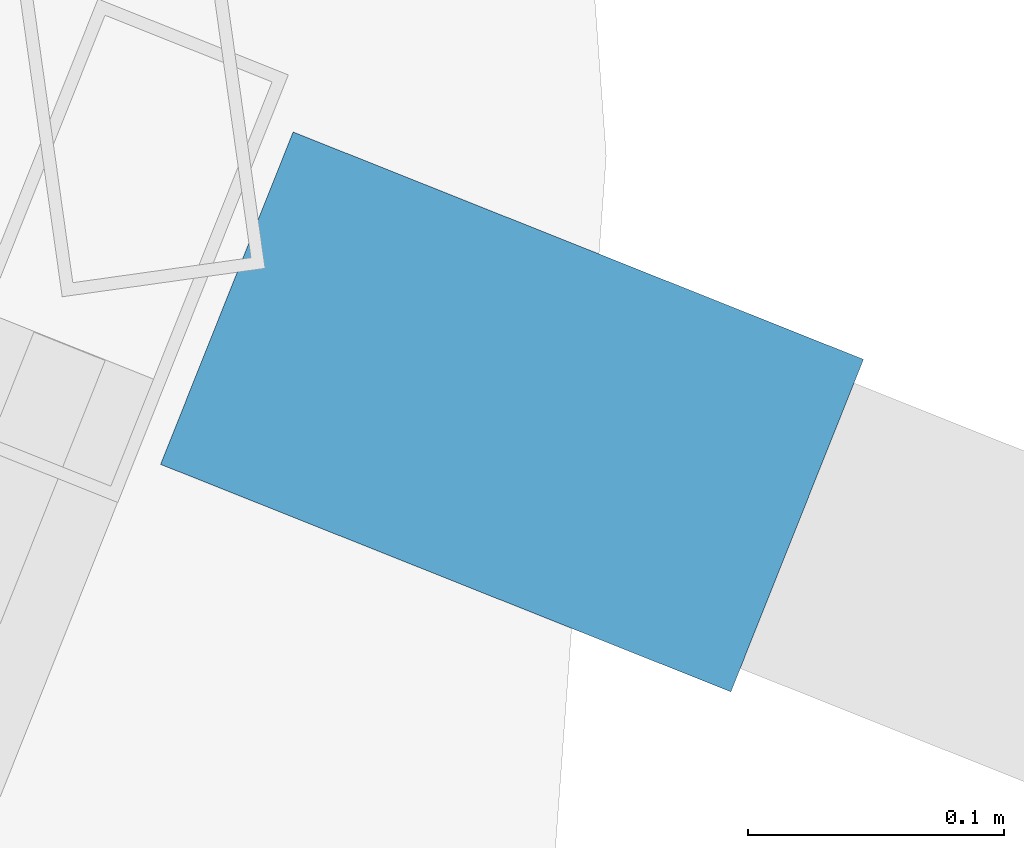
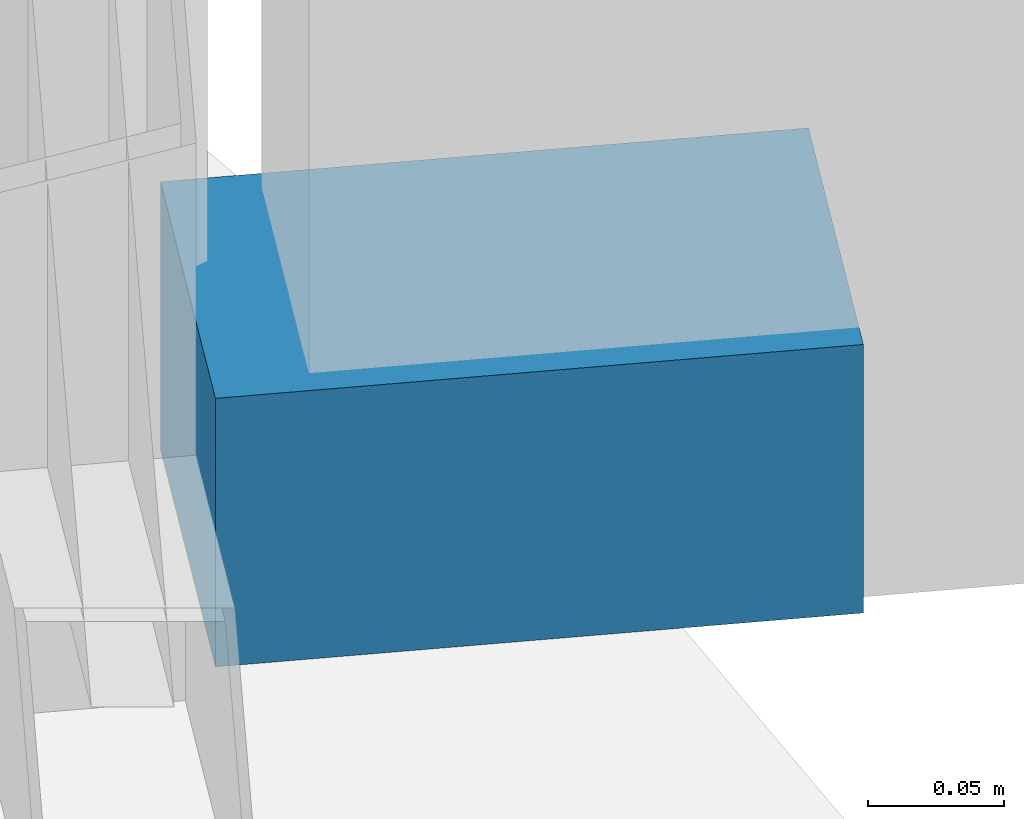
# One storey, part 28 of 31: 1 discrete accessory.
"""IFC4 building model written with IfcOpenShell, lengths in metres."""

import ifcopenshell
import ifcopenshell.guid

model = None  # the IFC model being written
_history = None  # IfcOwnerHistory: only IFC2X3 demands one
_inside = {}  # id of a spatial element -> (the spatial element, [elements in it])
_under = {}  # id of a project, library or spatial element -> (it, [spatial elements below it])
_declared = {}  # id of a project -> (the project, [libraries it declares])
_typed = {}  # id of a type object -> (the type object, [elements of that type])
_made_of = {}  # id of a material, layer set ... -> (it, [elements and type objects made of it])


def new_model(schema):
    """Start an empty IFC model of exactly this schema.

    Asked for "IFC4X3", IfcOpenShell would pick the latest addendum, in which some entities
    have other attributes; the version numbers below select the first issue.
    IFC2X3 requires an IfcOwnerHistory on every rooted entity: one is made here for all.
    """
    global model, _history
    if schema == "IFC4X3":
        model = ifcopenshell.file(schema_version=(4, 3, 0, 0))
    else:
        model = ifcopenshell.file(schema=schema)
    _inside.clear()
    _under.clear()
    _declared.clear()
    _typed.clear()
    _made_of.clear()
    _history = None
    if model.schema == "IFC2X3":
        org = make("IfcOrganization", Name="unknown")
        user = make(
            "IfcPersonAndOrganization",
            ThePerson=make("IfcPerson", FamilyName="unknown"),
            TheOrganization=org,
        )
        app = make(
            "IfcApplication",
            ApplicationDeveloper=org,
            Version="unknown",
            ApplicationFullName="unknown",
            ApplicationIdentifier="unknown",
        )
        _history = make(
            "IfcOwnerHistory",
            OwningUser=user,
            OwningApplication=app,
            ChangeAction="ADDED",
            CreationDate=0,
        )
    return model


def make(cls, **values):
    """One entity of the class cls with the attributes given. An attribute that is None is left unset."""
    return model.create_entity(
        cls, **{name: value for name, value in values.items() if value is not None}
    )


def rooted(cls, **values):
    """An entity with a GlobalId (a new one), such as an element, a storey or a relation."""
    return make(cls, GlobalId=ifcopenshell.guid.new(), OwnerHistory=_history, **values)


def si_unit(unit_type, name, prefix=None):
    """IfcSIUnit, for example si_unit("LENGTHUNIT", "METRE", prefix="MILLI")."""
    return make("IfcSIUnit", UnitType=unit_type, Prefix=prefix, Name=name)


def assignment(units):
    """IfcUnitAssignment: the units of a project."""
    return None if units is None else make("IfcUnitAssignment", Units=units)


def point(xyz):
    """IfcCartesianPoint."""
    return None if xyz is None else make("IfcCartesianPoint", Coordinates=xyz)


def direction(xyz):
    """IfcDirection."""
    return None if xyz is None else make("IfcDirection", DirectionRatios=xyz)


def frame(location, z_axis=None, x_axis=None):
    """IfcAxis2Placement3D, a coordinate frame: its origin and axes. An axis left out is left unset."""
    return make(
        "IfcAxis2Placement3D",
        Location=point(location),
        Axis=direction(z_axis),
        RefDirection=direction(x_axis),
    )


def frame_2d(location, x_axis=None):
    """IfcAxis2Placement2D, a coordinate frame in the plane: its origin and x axis."""
    return make(
        "IfcAxis2Placement2D", Location=point(location), RefDirection=direction(x_axis)
    )


def origin():
    """The frame at (0, 0, 0) with its axes left unset."""
    return frame((0.0, 0.0, 0.0))


def origin_2d():
    """The frame at (0, 0) in the plane with its x axis left unset."""
    return frame_2d((0.0, 0.0))


def place(relative_to, where):
    """IfcLocalPlacement: puts the frame where relative to a parent placement (None: the world)."""
    return make(
        "IfcLocalPlacement", PlacementRelTo=relative_to, RelativePlacement=where
    )


def context(
    kind, dimensions, precision=None, world=None, true_north=None, identifier=None
):
    """IfcGeometricRepresentationContext, for example the 3D "Model" context."""
    return make(
        "IfcGeometricRepresentationContext",
        ContextIdentifier=identifier,
        ContextType=kind,
        CoordinateSpaceDimension=dimensions,
        Precision=precision,
        WorldCoordinateSystem=world,
        TrueNorth=true_north,
    )


def subcontext(parent, identifier, kind, view, scale=None):
    """IfcGeometricRepresentationSubContext, for example "Body" below "Model"."""
    return make(
        "IfcGeometricRepresentationSubContext",
        ContextIdentifier=identifier,
        ContextType=kind,
        ParentContext=parent,
        TargetScale=scale,
        TargetView=view,
    )


def project(units=None, contexts=None):
    """IfcProject with its units and contexts."""
    return rooted(
        "IfcProject",
        Name="project",
        RepresentationContexts=contexts,
        UnitsInContext=assignment(units),
    )


def spatial(cls, under=None, at=None, **own):
    """A site, building, storey or space (cls), placed at a placement, below another one or the project."""
    s = rooted(cls, ObjectPlacement=at, **own)
    if under is not None:
        _under.setdefault(under.id(), (under, []))[1].append(s)
    return s


def profile(cls, at=None, kind="AREA", **sizes):
    """A parametric profile (cls). Its sizes go by their IFC names, for example OverallWidth=200.0."""
    return make(cls, ProfileType=kind, Position=at, **sizes)


def rectangle(**sizes):
    """IfcRectangleProfileDef."""
    return profile("IfcRectangleProfileDef", **sizes)


def extrude(swept, where, along, depth):
    """IfcExtrudedAreaSolid: the profile swept, set in the frame where, extruded along a direction by depth."""
    return make(
        "IfcExtrudedAreaSolid",
        SweptArea=swept,
        Position=where,
        ExtrudedDirection=direction(along),
        Depth=depth,
    )


def shape(context_of_items, identifier, shape_type, items):
    """IfcShapeRepresentation: the items that make up one representation, for example the "Body"."""
    return make(
        "IfcShapeRepresentation",
        ContextOfItems=context_of_items,
        RepresentationIdentifier=identifier,
        RepresentationType=shape_type,
        Items=items,
    )


def material(Name=None, Category=None):
    """IfcMaterial."""
    return make("IfcMaterial", Name=Name, Category=Category)


def made_of(thing, what):
    """Note that an element or type object is made of a material, layer set ...; save() writes the relation."""
    if what is not None:
        _made_of.setdefault(what.id(), (what, []))[1].append(thing)
    return thing


def type_object(cls, material=None, **own):
    """A type object (cls), such as IfcWallType, which elements share."""
    return made_of(rooted(cls, **own), material)


def element(
    cls,
    number,
    at=None,
    inside=None,
    cuts=None,
    type_object=None,
    material=None,
    context=None,
    identifier="Body",
    shape_type=None,
    held_by="IfcProductDefinitionShape",
    body=None,
    shapes=None,
    **own,
):
    """One element of the class cls, such as IfcWall. Its Tag is "e" and its number.

    at: its placement. inside: the storey or other place that contains it. cuts: it is an
    opening in that element (IfcRelVoidsElement). A single representation is given by context,
    identifier, shape_type and body (its items); several are given by shapes. held_by: the class
    of the entity that holds the representations. save() writes the other relations.
    """
    e = rooted(cls, Tag="e%d" % number, ObjectPlacement=at, **own)
    if body is not None:
        shapes = [shape(context, identifier, shape_type, body)]
    if shapes is not None:
        e.Representation = make(held_by, Representations=shapes)
    if inside is not None:
        _inside.setdefault(inside.id(), (inside, []))[1].append(e)
    if cuts is not None:
        rooted(
            "IfcRelVoidsElement", RelatingBuildingElement=cuts, RelatedOpeningElement=e
        )
    if type_object is not None:
        _typed.setdefault(type_object.id(), (type_object, []))[1].append(e)
    return made_of(e, material)


def aggregate(whole, parts):
    """IfcRelAggregates: a whole, such as a stair, and the parts it consists of."""
    return rooted("IfcRelAggregates", RelatingObject=whole, RelatedObjects=parts)


def save(model, path):
    """Write the relations noted so far, then the file.

    IfcRelAggregates (storeys below a building ...), IfcRelContainedInSpatialStructure (elements
    in a storey), IfcRelDefinesByType, IfcRelAssociatesMaterial and IfcRelDeclares: one each for
    every whole, place, type object, material and project.
    """
    for whole, parts in _under.values():
        aggregate(whole, parts)
    for where, things in _inside.values():
        rooted(
            "IfcRelContainedInSpatialStructure",
            RelatedElements=things,
            RelatingStructure=where,
        )
    for kind, things in _typed.values():
        rooted("IfcRelDefinesByType", RelatedObjects=things, RelatingType=kind)
    for what, things in _made_of.values():
        rooted("IfcRelAssociatesMaterial", RelatedObjects=things, RelatingMaterial=what)
    for by, libraries in _declared.values():
        rooted("IfcRelDeclares", RelatingContext=by, RelatedDefinitions=libraries)
    model.write(path)


model = new_model("IFC4")

# Units and contexts
model_context = context("Model", 3, precision=1e-05, world=origin(), true_north=direction((0.0, 1.0)))
body_context = subcontext(model_context, "Body", "Model", "MODEL_VIEW")
ifc_project = project(units=[si_unit("LENGTHUNIT", "METRE"), si_unit("AREAUNIT", "SQUARE_METRE"), si_unit("VOLUMEUNIT", "CUBIC_METRE"), si_unit("PLANEANGLEUNIT", "RADIAN"), si_unit("MASSUNIT", "GRAM", prefix="KILO")], contexts=[model_context])

# Site, building, storey
site_placement = place(None, origin())
site = spatial("IfcSite", under=ifc_project, at=site_placement, CompositionType="ELEMENT")
building_placement = place(site_placement, origin())
building = spatial("IfcBuilding", under=site, at=building_placement, Name="Kazevale Care Tower and Concert Hall", CompositionType="ELEMENT")
storey_placement = place(building_placement, frame((0.0, 0.0, 63.60009765625)))
storey = spatial("IfcBuildingStorey", under=building, at=storey_placement, Name="L16", CompositionType="ELEMENT", Elevation=63.60009765625)

# Discrete accessory
ifc_material = material(Name="Stainless Steel 316", Category="steel")
discrete_accessory_type = type_object("IfcDiscreteAccessoryType", Name="Facade Fin Stainless Anchor Bracket BRK-1", PredefinedType="BRACKET", material=ifc_material)
discrete_accessory_placement = place(storey_placement, frame((80.76318359375, 37.89990234375, -0.000244140625), z_axis=(0.0, 0.0, 1.0), x_axis=(0.928874213199, -0.370395324019, 0.0)))
element("IfcDiscreteAccessory", 1, at=discrete_accessory_placement, inside=storey, type_object=discrete_accessory_type, Name="cw:L16:f01:brk", PredefinedType="BRACKET", context=body_context, shape_type="SweptSolid", body=[
    extrude(rectangle(XDim=0.239990234375, YDim=0.139892578125, at=origin_2d()), origin(), (0.0, 0.0, 1.0), 0.1201171875),
])

save(model, "model.ifc")
